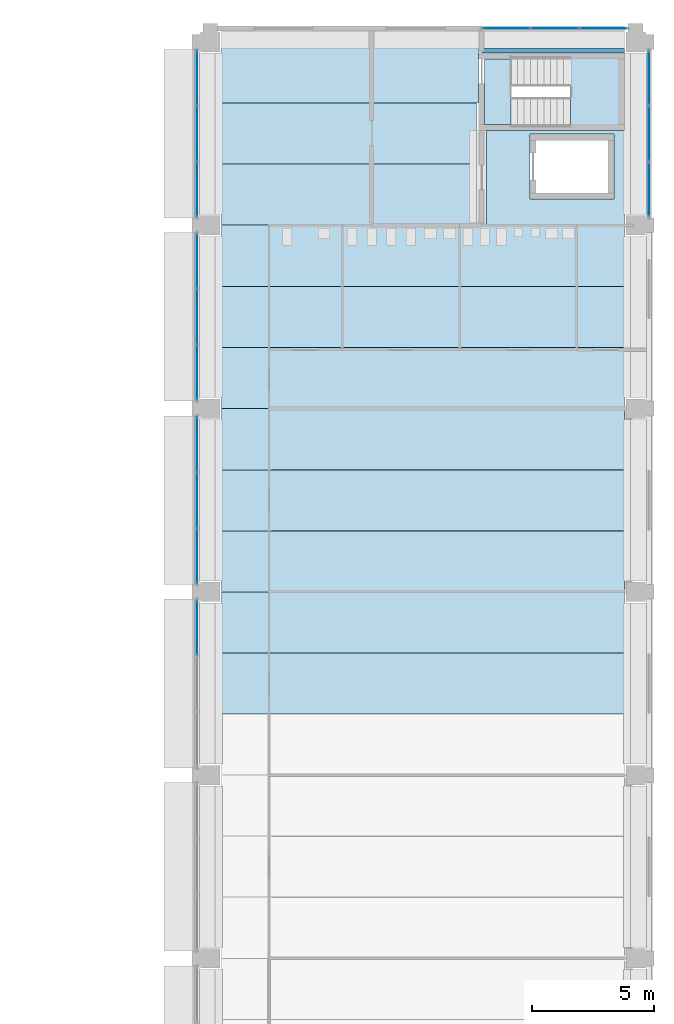
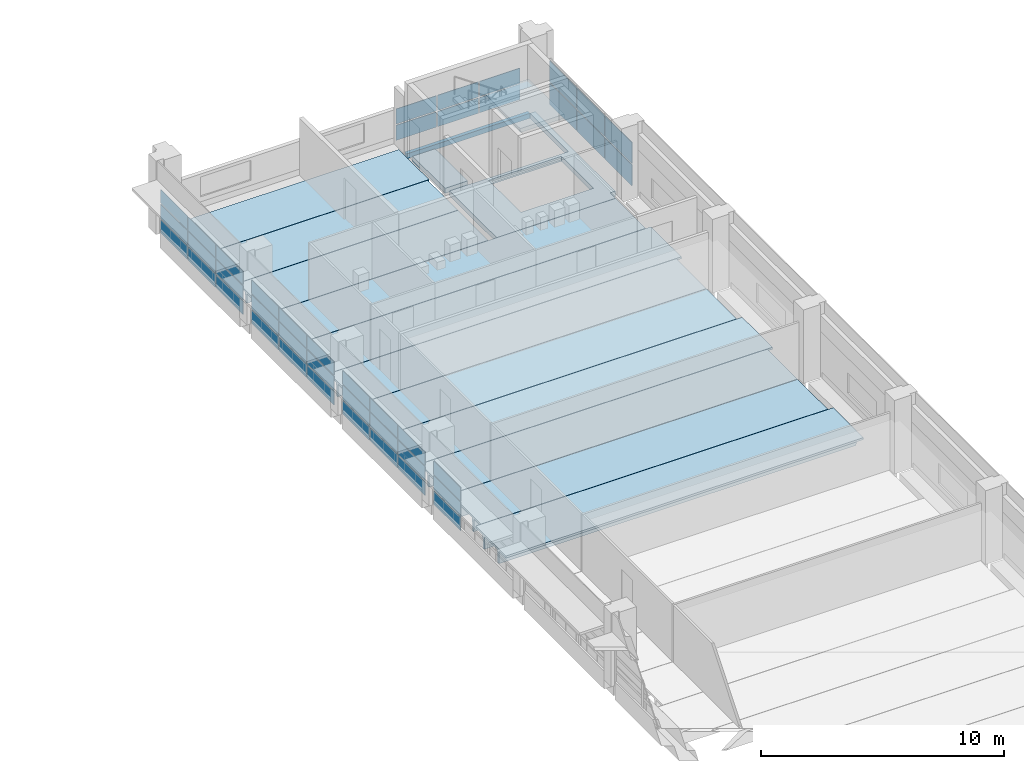
# One storey, part 32 of 61: 42 plates, 15 slabs, 7 elements without a shape of their own.
"""IFC4 building model written with IfcOpenShell, lengths in metres."""

from ifc_helpers import new_model, si_unit, direction, frame, origin, origin_2d, place, context, subcontext, project, spatial, polyline, rectangle, outline, extrude, material, layer, layer_set, material_profile, profile_set, type_object, element, aggregate, save


model = new_model("IFC4")

# Units and contexts
model_context = context("Model", 3, precision=1e-05, world=origin(), true_north=direction((0.0, 1.0)))
body_context = subcontext(model_context, "Body", "Model", "MODEL_VIEW")
ifc_project = project(units=[si_unit("LENGTHUNIT", "METRE"), si_unit("AREAUNIT", "SQUARE_METRE"), si_unit("VOLUMEUNIT", "CUBIC_METRE"), si_unit("PLANEANGLEUNIT", "RADIAN"), si_unit("MASSUNIT", "GRAM", prefix="KILO")], contexts=[model_context])

# Site, building, storey
site_placement = place(None, origin())
site = spatial("IfcSite", under=ifc_project, at=site_placement, CompositionType="ELEMENT")
building_placement = place(site_placement, origin())
building = spatial("IfcBuilding", under=site, at=building_placement, Name="Cour d'Honneur Mobility Palace", CompositionType="ELEMENT")
storey_placement = place(building_placement, frame((0.0, 0.0, 11.89990234375)))
storey = spatial("IfcBuildingStorey", under=building, at=storey_placement, Name="L03", CompositionType="ELEMENT", Elevation=11.89990234375)

# Slabs
ifc_material_1 = material(Name="Concrete C50", Category="concrete")
ifc_layer_1 = layer(ifc_material_1, 0.25)
ifc_layer_set_1 = layer_set([ifc_layer_1], Name="Concrete C50")
slab_type_1 = type_object("IfcSlabType", Name="Cast-in-place Slab 250", PredefinedType="FLOOR", material=ifc_layer_set_1)
slab_1_placement = place(storey_placement, frame((0.0, 0.0, -0.25)))
element("IfcSlab", 1, at=slab_1_placement, inside=storey, type_object=slab_type_1, Name="Cast-in-place slab S1 L03 core", PredefinedType="FLOOR", context=body_context, shape_type="SweptSolid", body=[
    extrude(outline(polyline([(161.85009765625, 114.449951171875), (156.0, 114.449951171875), (156.0, 114.625), (161.85009765625, 114.625), (161.85009765625, 114.449951171875)])), origin(), (0.0, 0.0, 1.0), 0.25),
])
slab_2_placement = place(storey_placement, frame((0.0, 0.0, -0.25)))
element("IfcSlab", 2, at=slab_2_placement, inside=storey, type_object=slab_type_1, Name="Cast-in-place slab S1 L03 core", PredefinedType="FLOOR", context=body_context, shape_type="SweptSolid", body=[
    extrude(outline(polyline([(162.10009765625, 114.449951171875), (162.10009765625, 107.85009765625), (161.85009765625, 107.85009765625), (161.85009765625, 107.39990234375), (156.199951171875, 107.39990234375), (156.199951171875, 111.27490234375), (161.85009765625, 111.27490234375), (161.85009765625, 114.449951171875), (162.10009765625, 114.449951171875)]), holes=[polyline([(161.425048828125, 111.125), (157.97509765625, 111.125), (157.97509765625, 108.47509765625), (161.425048828125, 108.47509765625), (161.425048828125, 111.125)])]), origin(), (0.0, 0.0, 1.0), 0.25),
])
slab_3_placement = place(storey_placement, frame((0.0, 0.0, -0.25)))
element("IfcSlab", 3, at=slab_3_placement, inside=storey, type_object=slab_type_1, Name="Cast-in-place slab S1 L03 core", PredefinedType="FLOOR", context=body_context, shape_type="SweptSolid", body=[
    extrude(outline(polyline([(156.125, 114.199951171875), (157.199951171875, 114.199951171875), (157.199951171875, 111.52490234375), (156.125, 111.52490234375), (156.125, 114.199951171875)])), origin(), (0.0, 0.0, 1.0), 0.25),
])

# Curtain wall, plates
ifc_material_2 = material(Name="Aluminium and glass", Category="aluminium")
ifc_layer_2 = layer(ifc_material_2, 0.10009765625)
ifc_layer_set_2 = layer_set([ifc_layer_2], Name="Aluminium and glass")
curtain_wall_type = type_object("IfcCurtainWallType", Name="Curtain wall run", PredefinedType="NOTDEFINED", material=ifc_layer_set_2)
curtain_wall_1_placement = place(storey_placement, origin())
curtain_wall_1 = element("IfcCurtainWall", 4, at=curtain_wall_1_placement, inside=storey, type_object=curtain_wall_type, Name="Curtain wall CW-58", PredefinedType="NOTDEFINED")
ifc_material_3 = material(Name="Double glazing", Category="glass")
ifc_layer_3 = layer(ifc_material_3, 0.028076171875)
ifc_layer_set_3 = layer_set([ifc_layer_3], Name="Double glazing")
plate_type = type_object("IfcPlateType", Name="Curtain wall panel", PredefinedType="CURTAIN_PANEL", material=ifc_layer_set_3)
plate_1_placement = place(storey_placement, frame((144.35009765625, 113.43505859375, 0.06005859375), z_axis=(0.0, 0.0, 1.0), x_axis=(0.0, -1.0, 0.0)))
plate_1 = element("IfcPlate", 5, at=plate_1_placement, type_object=plate_type, Name="CW-58 panel 1.1", PredefinedType="CURTAIN_PANEL", context=body_context, shape_type="SweptSolid", body=[
    extrude(rectangle(XDim=2.2099609375, YDim=0.028076171875, at=origin_2d()), origin(), (0.0, 0.0, 1.0), 0.6767578125),
])
plate_2_placement = place(storey_placement, frame((144.35009765625, 113.43505859375, 0.796875), z_axis=(0.0, 0.0, 1.0), x_axis=(0.0, -1.0, 0.0)))
plate_2 = element("IfcPlate", 6, at=plate_2_placement, type_object=plate_type, Name="CW-58 panel 1.2", PredefinedType="CURTAIN_PANEL", context=body_context, shape_type="SweptSolid", body=[
    extrude(rectangle(XDim=2.2099609375, YDim=0.028076171875, at=origin_2d()), origin(), (0.0, 0.0, 1.0), 0.706787109375),
])
plate_3_placement = place(storey_placement, frame((144.35009765625, 113.43505859375, 1.5634765625), z_axis=(0.0, 0.0, 1.0), x_axis=(0.0, -1.0, 0.0)))
plate_3 = element("IfcPlate", 7, at=plate_3_placement, type_object=plate_type, Name="CW-58 panel 1.3", PredefinedType="CURTAIN_PANEL", context=body_context, shape_type="SweptSolid", body=[
    extrude(rectangle(XDim=2.2099609375, YDim=0.028076171875, at=origin_2d()), origin(), (0.0, 0.0, 1.0), 0.6767578125),
])
plate_4_placement = place(storey_placement, frame((144.35009765625, 111.14990234375, 0.06005859375), z_axis=(0.0, 0.0, 1.0), x_axis=(0.0, -1.0, 0.0)))
plate_4 = element("IfcPlate", 8, at=plate_4_placement, type_object=plate_type, Name="CW-58 panel 2.1", PredefinedType="CURTAIN_PANEL", context=body_context, shape_type="SweptSolid", body=[
    extrude(rectangle(XDim=2.239990234375, YDim=0.028076171875, at=origin_2d()), origin(), (0.0, 0.0, 1.0), 0.6767578125),
])
plate_5_placement = place(storey_placement, frame((144.35009765625, 111.14990234375, 0.796875), z_axis=(0.0, 0.0, 1.0), x_axis=(0.0, -1.0, 0.0)))
plate_5 = element("IfcPlate", 9, at=plate_5_placement, type_object=plate_type, Name="CW-58 panel 2.2", PredefinedType="CURTAIN_PANEL", context=body_context, shape_type="SweptSolid", body=[
    extrude(rectangle(XDim=2.239990234375, YDim=0.028076171875, at=origin_2d()), origin(), (0.0, 0.0, 1.0), 0.706787109375),
])
plate_6_placement = place(storey_placement, frame((144.35009765625, 111.14990234375, 1.5634765625), z_axis=(0.0, 0.0, 1.0), x_axis=(0.0, -1.0, 0.0)))
plate_6 = element("IfcPlate", 10, at=plate_6_placement, type_object=plate_type, Name="CW-58 panel 2.3", PredefinedType="CURTAIN_PANEL", context=body_context, shape_type="SweptSolid", body=[
    extrude(rectangle(XDim=2.239990234375, YDim=0.028076171875, at=origin_2d()), origin(), (0.0, 0.0, 1.0), 0.6767578125),
])
plate_7_placement = place(storey_placement, frame((144.35009765625, 108.864990234375, 0.06005859375), z_axis=(0.0, 0.0, 1.0), x_axis=(0.0, -1.0, 0.0)))
plate_7 = element("IfcPlate", 11, at=plate_7_placement, type_object=plate_type, Name="CW-58 panel 3.1", PredefinedType="CURTAIN_PANEL", context=body_context, shape_type="SweptSolid", body=[
    extrude(rectangle(XDim=2.2099609375, YDim=0.028076171875, at=origin_2d()), origin(), (0.0, 0.0, 1.0), 0.6767578125),
])
plate_8_placement = place(storey_placement, frame((144.35009765625, 108.864990234375, 0.796875), z_axis=(0.0, 0.0, 1.0), x_axis=(0.0, -1.0, 0.0)))
plate_8 = element("IfcPlate", 12, at=plate_8_placement, type_object=plate_type, Name="CW-58 panel 3.2", PredefinedType="CURTAIN_PANEL", context=body_context, shape_type="SweptSolid", body=[
    extrude(rectangle(XDim=2.2099609375, YDim=0.028076171875, at=origin_2d()), origin(), (0.0, 0.0, 1.0), 0.706787109375),
])
plate_9_placement = place(storey_placement, frame((144.35009765625, 108.864990234375, 1.5634765625), z_axis=(0.0, 0.0, 1.0), x_axis=(0.0, -1.0, 0.0)))
plate_9 = element("IfcPlate", 13, at=plate_9_placement, type_object=plate_type, Name="CW-58 panel 3.3", PredefinedType="CURTAIN_PANEL", context=body_context, shape_type="SweptSolid", body=[
    extrude(rectangle(XDim=2.2099609375, YDim=0.028076171875, at=origin_2d()), origin(), (0.0, 0.0, 1.0), 0.6767578125),
])
aggregate(curtain_wall_1, [plate_1, plate_2, plate_3, plate_4, plate_5, plate_6, plate_7, plate_8, plate_9])

curtain_wall_2_placement = place(storey_placement, origin())
curtain_wall_2 = element("IfcCurtainWall", 14, at=curtain_wall_2_placement, inside=storey, type_object=curtain_wall_type, Name="Curtain wall CW-59", PredefinedType="NOTDEFINED")
plate_10_placement = place(storey_placement, frame((144.35009765625, 105.93505859375, 0.06005859375), z_axis=(0.0, 0.0, 1.0), x_axis=(0.0, -1.0, 0.0)))
plate_10 = element("IfcPlate", 15, at=plate_10_placement, type_object=plate_type, Name="CW-59 panel 1.1", PredefinedType="CURTAIN_PANEL", context=body_context, shape_type="SweptSolid", body=[
    extrude(rectangle(XDim=2.2099609375, YDim=0.028076171875, at=origin_2d()), origin(), (0.0, 0.0, 1.0), 0.6767578125),
])
plate_11_placement = place(storey_placement, frame((144.35009765625, 105.93505859375, 0.796875), z_axis=(0.0, 0.0, 1.0), x_axis=(0.0, -1.0, 0.0)))
plate_11 = element("IfcPlate", 16, at=plate_11_placement, type_object=plate_type, Name="CW-59 panel 1.2", PredefinedType="CURTAIN_PANEL", context=body_context, shape_type="SweptSolid", body=[
    extrude(rectangle(XDim=2.2099609375, YDim=0.028076171875, at=origin_2d()), origin(), (0.0, 0.0, 1.0), 0.706787109375),
])
plate_12_placement = place(storey_placement, frame((144.35009765625, 105.93505859375, 1.5634765625), z_axis=(0.0, 0.0, 1.0), x_axis=(0.0, -1.0, 0.0)))
plate_12 = element("IfcPlate", 17, at=plate_12_placement, type_object=plate_type, Name="CW-59 panel 1.3", PredefinedType="CURTAIN_PANEL", context=body_context, shape_type="SweptSolid", body=[
    extrude(rectangle(XDim=2.2099609375, YDim=0.028076171875, at=origin_2d()), origin(), (0.0, 0.0, 1.0), 0.6767578125),
])
plate_13_placement = place(storey_placement, frame((144.35009765625, 103.64990234375, 0.06005859375), z_axis=(0.0, 0.0, 1.0), x_axis=(0.0, -1.0, 0.0)))
plate_13 = element("IfcPlate", 18, at=plate_13_placement, type_object=plate_type, Name="CW-59 panel 2.1", PredefinedType="CURTAIN_PANEL", context=body_context, shape_type="SweptSolid", body=[
    extrude(rectangle(XDim=2.239990234375, YDim=0.028076171875, at=origin_2d()), origin(), (0.0, 0.0, 1.0), 0.6767578125),
])
plate_14_placement = place(storey_placement, frame((144.35009765625, 103.64990234375, 0.796875), z_axis=(0.0, 0.0, 1.0), x_axis=(0.0, -1.0, 0.0)))
plate_14 = element("IfcPlate", 19, at=plate_14_placement, type_object=plate_type, Name="CW-59 panel 2.2", PredefinedType="CURTAIN_PANEL", context=body_context, shape_type="SweptSolid", body=[
    extrude(rectangle(XDim=2.239990234375, YDim=0.028076171875, at=origin_2d()), origin(), (0.0, 0.0, 1.0), 0.706787109375),
])
plate_15_placement = place(storey_placement, frame((144.35009765625, 103.64990234375, 1.5634765625), z_axis=(0.0, 0.0, 1.0), x_axis=(0.0, -1.0, 0.0)))
plate_15 = element("IfcPlate", 20, at=plate_15_placement, type_object=plate_type, Name="CW-59 panel 2.3", PredefinedType="CURTAIN_PANEL", context=body_context, shape_type="SweptSolid", body=[
    extrude(rectangle(XDim=2.239990234375, YDim=0.028076171875, at=origin_2d()), origin(), (0.0, 0.0, 1.0), 0.6767578125),
])
plate_16_placement = place(storey_placement, frame((144.35009765625, 101.364990234375, 0.06005859375), z_axis=(0.0, 0.0, 1.0), x_axis=(0.0, -1.0, 0.0)))
plate_16 = element("IfcPlate", 21, at=plate_16_placement, type_object=plate_type, Name="CW-59 panel 3.1", PredefinedType="CURTAIN_PANEL", context=body_context, shape_type="SweptSolid", body=[
    extrude(rectangle(XDim=2.2099609375, YDim=0.028076171875, at=origin_2d()), origin(), (0.0, 0.0, 1.0), 0.6767578125),
])
plate_17_placement = place(storey_placement, frame((144.35009765625, 101.364990234375, 0.796875), z_axis=(0.0, 0.0, 1.0), x_axis=(0.0, -1.0, 0.0)))
plate_17 = element("IfcPlate", 22, at=plate_17_placement, type_object=plate_type, Name="CW-59 panel 3.2", PredefinedType="CURTAIN_PANEL", context=body_context, shape_type="SweptSolid", body=[
    extrude(rectangle(XDim=2.2099609375, YDim=0.028076171875, at=origin_2d()), origin(), (0.0, 0.0, 1.0), 0.706787109375),
])
plate_18_placement = place(storey_placement, frame((144.35009765625, 101.364990234375, 1.5634765625), z_axis=(0.0, 0.0, 1.0), x_axis=(0.0, -1.0, 0.0)))
plate_18 = element("IfcPlate", 23, at=plate_18_placement, type_object=plate_type, Name="CW-59 panel 3.3", PredefinedType="CURTAIN_PANEL", context=body_context, shape_type="SweptSolid", body=[
    extrude(rectangle(XDim=2.2099609375, YDim=0.028076171875, at=origin_2d()), origin(), (0.0, 0.0, 1.0), 0.6767578125),
])
aggregate(curtain_wall_2, [plate_10, plate_11, plate_12, plate_13, plate_14, plate_15, plate_16, plate_17, plate_18])

curtain_wall_3_placement = place(storey_placement, origin())
curtain_wall_3 = element("IfcCurtainWall", 24, at=curtain_wall_3_placement, inside=storey, type_object=curtain_wall_type, Name="Curtain wall CW-60", PredefinedType="NOTDEFINED")
plate_19_placement = place(storey_placement, frame((144.35009765625, 98.43505859375, 0.06005859375), z_axis=(0.0, 0.0, 1.0), x_axis=(0.0, -1.0, 0.0)))
plate_19 = element("IfcPlate", 25, at=plate_19_placement, type_object=plate_type, Name="CW-60 panel 1.1", PredefinedType="CURTAIN_PANEL", context=body_context, shape_type="SweptSolid", body=[
    extrude(rectangle(XDim=2.2099609375, YDim=0.028076171875, at=origin_2d()), origin(), (0.0, 0.0, 1.0), 0.6767578125),
])
plate_20_placement = place(storey_placement, frame((144.35009765625, 98.43505859375, 0.796875), z_axis=(0.0, 0.0, 1.0), x_axis=(0.0, -1.0, 0.0)))
plate_20 = element("IfcPlate", 26, at=plate_20_placement, type_object=plate_type, Name="CW-60 panel 1.2", PredefinedType="CURTAIN_PANEL", context=body_context, shape_type="SweptSolid", body=[
    extrude(rectangle(XDim=2.2099609375, YDim=0.028076171875, at=origin_2d()), origin(), (0.0, 0.0, 1.0), 0.706787109375),
])
plate_21_placement = place(storey_placement, frame((144.35009765625, 98.43505859375, 1.5634765625), z_axis=(0.0, 0.0, 1.0), x_axis=(0.0, -1.0, 0.0)))
plate_21 = element("IfcPlate", 27, at=plate_21_placement, type_object=plate_type, Name="CW-60 panel 1.3", PredefinedType="CURTAIN_PANEL", context=body_context, shape_type="SweptSolid", body=[
    extrude(rectangle(XDim=2.2099609375, YDim=0.028076171875, at=origin_2d()), origin(), (0.0, 0.0, 1.0), 0.6767578125),
])
plate_22_placement = place(storey_placement, frame((144.35009765625, 96.14990234375, 0.06005859375), z_axis=(0.0, 0.0, 1.0), x_axis=(0.0, -1.0, 0.0)))
plate_22 = element("IfcPlate", 28, at=plate_22_placement, type_object=plate_type, Name="CW-60 panel 2.1", PredefinedType="CURTAIN_PANEL", context=body_context, shape_type="SweptSolid", body=[
    extrude(rectangle(XDim=2.239990234375, YDim=0.028076171875, at=origin_2d()), origin(), (0.0, 0.0, 1.0), 0.6767578125),
])
plate_23_placement = place(storey_placement, frame((144.35009765625, 96.14990234375, 0.796875), z_axis=(0.0, 0.0, 1.0), x_axis=(0.0, -1.0, 0.0)))
plate_23 = element("IfcPlate", 29, at=plate_23_placement, type_object=plate_type, Name="CW-60 panel 2.2", PredefinedType="CURTAIN_PANEL", context=body_context, shape_type="SweptSolid", body=[
    extrude(rectangle(XDim=2.239990234375, YDim=0.028076171875, at=origin_2d()), origin(), (0.0, 0.0, 1.0), 0.706787109375),
])
plate_24_placement = place(storey_placement, frame((144.35009765625, 96.14990234375, 1.5634765625), z_axis=(0.0, 0.0, 1.0), x_axis=(0.0, -1.0, 0.0)))
plate_24 = element("IfcPlate", 30, at=plate_24_placement, type_object=plate_type, Name="CW-60 panel 2.3", PredefinedType="CURTAIN_PANEL", context=body_context, shape_type="SweptSolid", body=[
    extrude(rectangle(XDim=2.239990234375, YDim=0.028076171875, at=origin_2d()), origin(), (0.0, 0.0, 1.0), 0.6767578125),
])
plate_25_placement = place(storey_placement, frame((144.35009765625, 93.864990234375, 0.06005859375), z_axis=(0.0, 0.0, 1.0), x_axis=(0.0, -1.0, 0.0)))
plate_25 = element("IfcPlate", 31, at=plate_25_placement, type_object=plate_type, Name="CW-60 panel 3.1", PredefinedType="CURTAIN_PANEL", context=body_context, shape_type="SweptSolid", body=[
    extrude(rectangle(XDim=2.2099609375, YDim=0.028076171875, at=origin_2d()), origin(), (0.0, 0.0, 1.0), 0.6767578125),
])
plate_26_placement = place(storey_placement, frame((144.35009765625, 93.864990234375, 0.796875), z_axis=(0.0, 0.0, 1.0), x_axis=(0.0, -1.0, 0.0)))
plate_26 = element("IfcPlate", 32, at=plate_26_placement, type_object=plate_type, Name="CW-60 panel 3.2", PredefinedType="CURTAIN_PANEL", context=body_context, shape_type="SweptSolid", body=[
    extrude(rectangle(XDim=2.2099609375, YDim=0.028076171875, at=origin_2d()), origin(), (0.0, 0.0, 1.0), 0.706787109375),
])
plate_27_placement = place(storey_placement, frame((144.35009765625, 93.864990234375, 1.5634765625), z_axis=(0.0, 0.0, 1.0), x_axis=(0.0, -1.0, 0.0)))
plate_27 = element("IfcPlate", 33, at=plate_27_placement, type_object=plate_type, Name="CW-60 panel 3.3", PredefinedType="CURTAIN_PANEL", context=body_context, shape_type="SweptSolid", body=[
    extrude(rectangle(XDim=2.2099609375, YDim=0.028076171875, at=origin_2d()), origin(), (0.0, 0.0, 1.0), 0.6767578125),
])
aggregate(curtain_wall_3, [plate_19, plate_20, plate_21, plate_22, plate_23, plate_24, plate_25, plate_26, plate_27])

curtain_wall_4_placement = place(storey_placement, origin())
curtain_wall_4 = element("IfcCurtainWall", 34, at=curtain_wall_4_placement, inside=storey, type_object=curtain_wall_type, Name="Curtain wall CW-61", PredefinedType="NOTDEFINED")
plate_28_placement = place(storey_placement, frame((144.35009765625, 90.93505859375, 0.06005859375), z_axis=(0.0, 0.0, 1.0), x_axis=(0.0, -1.0, 0.0)))
plate_28 = element("IfcPlate", 35, at=plate_28_placement, type_object=plate_type, Name="CW-61 panel 1.1", PredefinedType="CURTAIN_PANEL", context=body_context, shape_type="SweptSolid", body=[
    extrude(rectangle(XDim=2.2099609375, YDim=0.028076171875, at=origin_2d()), origin(), (0.0, 0.0, 1.0), 0.6767578125),
])
plate_29_placement = place(storey_placement, frame((144.35009765625, 90.93505859375, 0.796875), z_axis=(0.0, 0.0, 1.0), x_axis=(0.0, -1.0, 0.0)))
plate_29 = element("IfcPlate", 36, at=plate_29_placement, type_object=plate_type, Name="CW-61 panel 1.2", PredefinedType="CURTAIN_PANEL", context=body_context, shape_type="SweptSolid", body=[
    extrude(rectangle(XDim=2.2099609375, YDim=0.028076171875, at=origin_2d()), origin(), (0.0, 0.0, 1.0), 0.706787109375),
])
plate_30_placement = place(storey_placement, frame((144.35009765625, 90.93505859375, 1.5634765625), z_axis=(0.0, 0.0, 1.0), x_axis=(0.0, -1.0, 0.0)))
plate_30 = element("IfcPlate", 37, at=plate_30_placement, type_object=plate_type, Name="CW-61 panel 1.3", PredefinedType="CURTAIN_PANEL", context=body_context, shape_type="SweptSolid", body=[
    extrude(rectangle(XDim=2.2099609375, YDim=0.028076171875, at=origin_2d()), origin(), (0.0, 0.0, 1.0), 0.6767578125),
])
aggregate(curtain_wall_4, [plate_28, plate_29, plate_30])

curtain_wall_5_placement = place(storey_placement, origin())
curtain_wall_5 = element("IfcCurtainWall", 38, at=curtain_wall_5_placement, inside=storey, type_object=curtain_wall_type, Name="Curtain wall CW-117", PredefinedType="NOTDEFINED")
plate_31_placement = place(storey_placement, frame((162.85009765625, 108.864990234375, 0.06005859375), z_axis=(0.0, 0.0, 1.0), x_axis=(0.0, 1.0, 0.0)))
plate_31 = element("IfcPlate", 39, at=plate_31_placement, type_object=plate_type, Name="CW-117 panel 1.1", PredefinedType="CURTAIN_PANEL", context=body_context, shape_type="SweptSolid", body=[
    extrude(rectangle(XDim=2.2099609375, YDim=0.028076171875, at=origin_2d()), origin(), (0.0, 0.0, 1.0), 1.06005859375),
])
plate_32_placement = place(storey_placement, frame((162.85009765625, 108.864990234375, 1.18017578125), z_axis=(0.0, 0.0, 1.0), x_axis=(0.0, 1.0, 0.0)))
plate_32 = element("IfcPlate", 40, at=plate_32_placement, type_object=plate_type, Name="CW-117 panel 1.2", PredefinedType="CURTAIN_PANEL", context=body_context, shape_type="SweptSolid", body=[
    extrude(rectangle(XDim=2.2099609375, YDim=0.028076171875, at=origin_2d()), origin(), (0.0, 0.0, 1.0), 1.06005859375),
])
plate_33_placement = place(storey_placement, frame((162.85009765625, 111.14990234375, 0.06005859375), z_axis=(0.0, 0.0, 1.0), x_axis=(0.0, 1.0, 0.0)))
plate_33 = element("IfcPlate", 41, at=plate_33_placement, type_object=plate_type, Name="CW-117 panel 2.1", PredefinedType="CURTAIN_PANEL", context=body_context, shape_type="SweptSolid", body=[
    extrude(rectangle(XDim=2.239990234375, YDim=0.028076171875, at=origin_2d()), origin(), (0.0, 0.0, 1.0), 1.06005859375),
])
plate_34_placement = place(storey_placement, frame((162.85009765625, 111.14990234375, 1.18017578125), z_axis=(0.0, 0.0, 1.0), x_axis=(0.0, 1.0, 0.0)))
plate_34 = element("IfcPlate", 42, at=plate_34_placement, type_object=plate_type, Name="CW-117 panel 2.2", PredefinedType="CURTAIN_PANEL", context=body_context, shape_type="SweptSolid", body=[
    extrude(rectangle(XDim=2.239990234375, YDim=0.028076171875, at=origin_2d()), origin(), (0.0, 0.0, 1.0), 1.06005859375),
])
plate_35_placement = place(storey_placement, frame((162.85009765625, 113.43505859375, 0.06005859375), z_axis=(0.0, 0.0, 1.0), x_axis=(0.0, 1.0, 0.0)))
plate_35 = element("IfcPlate", 43, at=plate_35_placement, type_object=plate_type, Name="CW-117 panel 3.1", PredefinedType="CURTAIN_PANEL", context=body_context, shape_type="SweptSolid", body=[
    extrude(rectangle(XDim=2.2099609375, YDim=0.028076171875, at=origin_2d()), origin(), (0.0, 0.0, 1.0), 1.06005859375),
])
plate_36_placement = place(storey_placement, frame((162.85009765625, 113.43505859375, 1.18017578125), z_axis=(0.0, 0.0, 1.0), x_axis=(0.0, 1.0, 0.0)))
plate_36 = element("IfcPlate", 44, at=plate_36_placement, type_object=plate_type, Name="CW-117 panel 3.2", PredefinedType="CURTAIN_PANEL", context=body_context, shape_type="SweptSolid", body=[
    extrude(rectangle(XDim=2.2099609375, YDim=0.028076171875, at=origin_2d()), origin(), (0.0, 0.0, 1.0), 1.06005859375),
])
aggregate(curtain_wall_5, [plate_31, plate_32, plate_33, plate_34, plate_35, plate_36])

curtain_wall_6_placement = place(storey_placement, origin())
curtain_wall_6 = element("IfcCurtainWall", 45, at=curtain_wall_6_placement, inside=storey, type_object=curtain_wall_type, Name="Curtain wall CW-118", PredefinedType="NOTDEFINED")
plate_37_placement = place(storey_placement, frame((160.985107421875, 115.449951171875, 0.06005859375), z_axis=(0.0, 0.0, 1.0), x_axis=(-1.0, 0.0, 0.0)))
plate_37 = element("IfcPlate", 46, at=plate_37_placement, type_object=plate_type, Name="CW-118 panel 1.1", PredefinedType="CURTAIN_PANEL", context=body_context, shape_type="SweptSolid", body=[
    extrude(rectangle(XDim=1.909912109375, YDim=0.028076171875, at=origin_2d()), origin(), (0.0, 0.0, 1.0), 0.760009765625),
])
plate_38_placement = place(storey_placement, frame((160.985107421875, 115.449951171875, 0.8798828125), z_axis=(0.0, 0.0, 1.0), x_axis=(-1.0, 0.0, 0.0)))
plate_38 = element("IfcPlate", 47, at=plate_38_placement, type_object=plate_type, Name="CW-118 panel 1.2", PredefinedType="CURTAIN_PANEL", context=body_context, shape_type="SweptSolid", body=[
    extrude(rectangle(XDim=1.909912109375, YDim=0.028076171875, at=origin_2d()), origin(), (0.0, 0.0, 1.0), 0.760009765625),
])
plate_39_placement = place(storey_placement, frame((159.0, 115.449951171875, 0.06005859375), z_axis=(0.0, 0.0, 1.0), x_axis=(-1.0, 0.0, 0.0)))
plate_39 = element("IfcPlate", 48, at=plate_39_placement, type_object=plate_type, Name="CW-118 panel 2.1", PredefinedType="CURTAIN_PANEL", context=body_context, shape_type="SweptSolid", body=[
    extrude(rectangle(XDim=1.93994140625, YDim=0.028076171875, at=origin_2d()), origin(), (0.0, 0.0, 1.0), 0.760009765625),
])
plate_40_placement = place(storey_placement, frame((159.0, 115.449951171875, 0.8798828125), z_axis=(0.0, 0.0, 1.0), x_axis=(-1.0, 0.0, 0.0)))
plate_40 = element("IfcPlate", 49, at=plate_40_placement, type_object=plate_type, Name="CW-118 panel 2.2", PredefinedType="CURTAIN_PANEL", context=body_context, shape_type="SweptSolid", body=[
    extrude(rectangle(XDim=1.93994140625, YDim=0.028076171875, at=origin_2d()), origin(), (0.0, 0.0, 1.0), 0.760009765625),
])
plate_41_placement = place(storey_placement, frame((157.014892578125, 115.449951171875, 0.06005859375), z_axis=(0.0, 0.0, 1.0), x_axis=(-1.0, 0.0, 0.0)))
plate_41 = element("IfcPlate", 50, at=plate_41_placement, type_object=plate_type, Name="CW-118 panel 3.1", PredefinedType="CURTAIN_PANEL", context=body_context, shape_type="SweptSolid", body=[
    extrude(rectangle(XDim=1.909912109375, YDim=0.028076171875, at=origin_2d()), origin(), (0.0, 0.0, 1.0), 0.760009765625),
])
plate_42_placement = place(storey_placement, frame((157.014892578125, 115.449951171875, 0.8798828125), z_axis=(0.0, 0.0, 1.0), x_axis=(-1.0, 0.0, 0.0)))
plate_42 = element("IfcPlate", 51, at=plate_42_placement, type_object=plate_type, Name="CW-118 panel 3.2", PredefinedType="CURTAIN_PANEL", context=body_context, shape_type="SweptSolid", body=[
    extrude(rectangle(XDim=1.909912109375, YDim=0.028076171875, at=origin_2d()), origin(), (0.0, 0.0, 1.0), 0.760009765625),
])
aggregate(curtain_wall_6, [plate_37, plate_38, plate_39, plate_40, plate_41, plate_42])

# Slabs
ifc_material_4 = material(Name="Concrete C45", Category="concrete")
ifc_material_profile_1 = material_profile(ifc_material_4, outline(polyline([(-1.2451171875, 0.0), (1.2451171875, 0.0), (1.2451171875, -0.10009765625), (0.679931640625, -0.10009765625), (0.64990234375, -0.60009765625), (0.550048828125, -0.60009765625), (0.52001953125, -0.10009765625), (-0.52001953125, -0.10009765625), (-0.550048828125, -0.60009765625), (-0.64990234375, -0.60009765625), (-0.679931640625, -0.10009765625), (-1.2451171875, -0.10009765625), (-1.2451171875, 0.0)])), Name="DT 2490x600")
ifc_profile_set_1 = profile_set([ifc_material_profile_1], Name="Concrete C45")
slab_type_2 = type_object("IfcSlabType", Name="DT 2490x600", PredefinedType="FLOOR", material=ifc_profile_set_1)
slab_4_placement = place(storey_placement, frame((145.35009765625, 108.64990234375, 0.0), z_axis=(1.0, 0.0, 0.0), x_axis=(0.0, 1.0, 0.0)))
element("IfcSlab", 52, at=slab_4_placement, inside=storey, type_object=slab_type_2, Name="Double tee DT-NE19 L03", PredefinedType="FLOOR", context=body_context, shape_type="SweptSolid", body=[
    extrude(outline(polyline([(-1.2451171875, 0.0), (1.2451171875, 0.0), (1.2451171875, -0.10009765625), (0.679931640625, -0.10009765625), (0.64990234375, -0.60009765625), (0.550048828125, -0.60009765625), (0.52001953125, -0.10009765625), (-0.52001953125, -0.10009765625), (-0.550048828125, -0.60009765625), (-0.64990234375, -0.60009765625), (-0.679931640625, -0.10009765625), (-1.2451171875, -0.10009765625), (-1.2451171875, 0.0)])), origin(), (0.0, 0.0, 1.0), 10.449951171875),
])
slab_5_placement = place(storey_placement, frame((145.10009765625, 111.14990234375, 0.0), z_axis=(1.0, 0.0, 0.0), x_axis=(0.0, 1.0, 0.0)))
element("IfcSlab", 53, at=slab_5_placement, inside=storey, type_object=slab_type_2, Name="Double tee DT-NE20 L03", PredefinedType="FLOOR", context=body_context, shape_type="SweptSolid", body=[
    extrude(outline(polyline([(-1.2451171875, 0.0), (1.2451171875, 0.0), (1.2451171875, -0.10009765625), (0.679931640625, -0.10009765625), (0.64990234375, -0.60009765625), (0.550048828125, -0.60009765625), (0.52001953125, -0.10009765625), (-0.52001953125, -0.10009765625), (-0.550048828125, -0.60009765625), (-0.64990234375, -0.60009765625), (-0.679931640625, -0.10009765625), (-1.2451171875, -0.10009765625), (-1.2451171875, 0.0)])), origin(), (0.0, 0.0, 1.0), 10.699951171875),
])
slab_6_placement = place(storey_placement, frame((145.35009765625, 113.64990234375, 0.0), z_axis=(1.0, 0.0, 0.0), x_axis=(0.0, 1.0, 0.0)))
element("IfcSlab", 54, at=slab_6_placement, inside=storey, type_object=slab_type_2, Name="Double tee DT-NE21 L03", PredefinedType="FLOOR", context=body_context, shape_type="SweptSolid", body=[
    extrude(outline(polyline([(-1.2451171875, 0.0), (1.2451171875, 0.0), (1.2451171875, -0.10009765625), (0.679931640625, -0.10009765625), (0.64990234375, -0.60009765625), (0.550048828125, -0.60009765625), (0.52001953125, -0.10009765625), (-0.52001953125, -0.10009765625), (-0.550048828125, -0.60009765625), (-0.64990234375, -0.60009765625), (-0.679931640625, -0.10009765625), (-1.2451171875, -0.10009765625), (-1.2451171875, 0.0)])), origin(), (0.0, 0.0, 1.0), 10.52490234375),
])
ifc_material_5 = material(Name="Concrete C45", Category="concrete")
ifc_material_profile_2 = material_profile(ifc_material_5, outline(polyline([(-1.2451171875, 0.0), (1.2451171875, 0.0), (1.2451171875, -0.10009765625), (0.679931640625, -0.10009765625), (0.64990234375, -0.75), (0.550048828125, -0.75), (0.52001953125, -0.10009765625), (-0.52001953125, -0.10009765625), (-0.550048828125, -0.75), (-0.64990234375, -0.75), (-0.679931640625, -0.10009765625), (-1.2451171875, -0.10009765625), (-1.2451171875, 0.0)])), Name="DT 2490x750")
ifc_profile_set_2 = profile_set([ifc_material_profile_2], Name="Concrete C45")
slab_type_3 = type_object("IfcSlabType", Name="DT 2490x750", PredefinedType="FLOOR", material=ifc_profile_set_2)
slab_7_placement = place(storey_placement, frame((145.10009765625, 88.64990234375, 0.0), z_axis=(1.0, 0.0, 0.0), x_axis=(0.0, 1.0, 0.0)))
element("IfcSlab", 55, at=slab_7_placement, inside=storey, type_object=slab_type_3, Name="Double tee DT-NE11 L03", PredefinedType="FLOOR", context=body_context, shape_type="SweptSolid", body=[
    extrude(outline(polyline([(-1.2451171875, 0.0), (1.2451171875, 0.0), (1.2451171875, -0.10009765625), (0.679931640625, -0.10009765625), (0.64990234375, -0.75), (0.550048828125, -0.75), (0.52001953125, -0.10009765625), (-0.52001953125, -0.10009765625), (-0.550048828125, -0.75), (-0.64990234375, -0.75), (-0.679931640625, -0.10009765625), (-1.2451171875, -0.10009765625), (-1.2451171875, 0.0)])), origin(), (0.0, 0.0, 1.0), 17.0),
])
for number, where, z_axis, x_axis, name in (
    (56, (145.35009765625, 91.14990234375, 0.0), (1.0, 0.0, 0.0), (0.0, 1.0, 0.0), "Double tee DT-NE12 L03"),
    (57, (145.35009765625, 93.64990234375, 0.0), (1.0, 0.0, 0.0), (0.0, 1.0, 0.0), "Double tee DT-NE13 L03"),
):
    element("IfcSlab", number, at=place(storey_placement, frame(where, z_axis=z_axis, x_axis=x_axis)), inside=storey, type_object=slab_type_3, Name=name, PredefinedType="FLOOR", context=body_context, shape_type="SweptSolid", body=[
        extrude(outline(polyline([(-1.2451171875, 0.0), (1.2451171875, 0.0), (1.2451171875, -0.10009765625), (0.679931640625, -0.10009765625), (0.64990234375, -0.75), (0.550048828125, -0.75), (0.52001953125, -0.10009765625), (-0.52001953125, -0.10009765625), (-0.550048828125, -0.75), (-0.64990234375, -0.75), (-0.679931640625, -0.10009765625), (-1.2451171875, -0.10009765625), (-1.2451171875, 0.0)])), origin(), (0.0, 0.0, 1.0), 16.5),
    ])
slab_8_placement = place(storey_placement, frame((145.10009765625, 96.14990234375, 0.0), z_axis=(1.0, 0.0, 0.0), x_axis=(0.0, 1.0, 0.0)))
element("IfcSlab", 58, at=slab_8_placement, inside=storey, type_object=slab_type_3, Name="Double tee DT-NE14 L03", PredefinedType="FLOOR", context=body_context, shape_type="SweptSolid", body=[
    extrude(outline(polyline([(-1.2451171875, 0.0), (1.2451171875, 0.0), (1.2451171875, -0.10009765625), (0.679931640625, -0.10009765625), (0.64990234375, -0.75), (0.550048828125, -0.75), (0.52001953125, -0.10009765625), (-0.52001953125, -0.10009765625), (-0.550048828125, -0.75), (-0.64990234375, -0.75), (-0.679931640625, -0.10009765625), (-1.2451171875, -0.10009765625), (-1.2451171875, 0.0)])), origin(), (0.0, 0.0, 1.0), 17.0),
])
for number, where, z_axis, x_axis, name in (
    (59, (145.35009765625, 98.64990234375, 0.0), (1.0, 0.0, 0.0), (0.0, 1.0, 0.0), "Double tee DT-NE15 L03"),
    (60, (145.35009765625, 101.14990234375, 0.0), (1.0, 0.0, 0.0), (0.0, 1.0, 0.0), "Double tee DT-NE16 L03"),
):
    element("IfcSlab", number, at=place(storey_placement, frame(where, z_axis=z_axis, x_axis=x_axis)), inside=storey, type_object=slab_type_3, Name=name, PredefinedType="FLOOR", context=body_context, shape_type="SweptSolid", body=[
        extrude(outline(polyline([(-1.2451171875, 0.0), (1.2451171875, 0.0), (1.2451171875, -0.10009765625), (0.679931640625, -0.10009765625), (0.64990234375, -0.75), (0.550048828125, -0.75), (0.52001953125, -0.10009765625), (-0.52001953125, -0.10009765625), (-0.550048828125, -0.75), (-0.64990234375, -0.75), (-0.679931640625, -0.10009765625), (-1.2451171875, -0.10009765625), (-1.2451171875, 0.0)])), origin(), (0.0, 0.0, 1.0), 16.5),
    ])
slab_9_placement = place(storey_placement, frame((145.10009765625, 103.64990234375, 0.0), z_axis=(1.0, 0.0, 0.0), x_axis=(0.0, 1.0, 0.0)))
element("IfcSlab", 61, at=slab_9_placement, inside=storey, type_object=slab_type_3, Name="Double tee DT-NE17 L03", PredefinedType="FLOOR", context=body_context, shape_type="SweptSolid", body=[
    extrude(outline(polyline([(-1.2451171875, 0.0), (1.2451171875, 0.0), (1.2451171875, -0.10009765625), (0.679931640625, -0.10009765625), (0.64990234375, -0.75), (0.550048828125, -0.75), (0.52001953125, -0.10009765625), (-0.52001953125, -0.10009765625), (-0.550048828125, -0.75), (-0.64990234375, -0.75), (-0.679931640625, -0.10009765625), (-1.2451171875, -0.10009765625), (-1.2451171875, 0.0)])), origin(), (0.0, 0.0, 1.0), 17.0),
])
slab_10_placement = place(storey_placement, frame((145.35009765625, 106.14990234375, 0.0), z_axis=(1.0, 0.0, 0.0), x_axis=(0.0, 1.0, 0.0)))
element("IfcSlab", 62, at=slab_10_placement, inside=storey, type_object=slab_type_3, Name="Double tee DT-NE18 L03", PredefinedType="FLOOR", context=body_context, shape_type="SweptSolid", body=[
    extrude(outline(polyline([(-1.2451171875, 0.0), (1.2451171875, 0.0), (1.2451171875, -0.10009765625), (0.679931640625, -0.10009765625), (0.64990234375, -0.75), (0.550048828125, -0.75), (0.52001953125, -0.10009765625), (-0.52001953125, -0.10009765625), (-0.550048828125, -0.75), (-0.64990234375, -0.75), (-0.679931640625, -0.10009765625), (-1.2451171875, -0.10009765625), (-1.2451171875, 0.0)])), origin(), (0.0, 0.0, 1.0), 16.5),
])

# Stair, slab
ifc_material_6 = material(Name="Concrete C50", Category="concrete")
stair_type = type_object("IfcStairType", Name="Stair 20 risers", PredefinedType="HALF_TURN_STAIR", material=ifc_material_6)
stair_placement = place(storey_placement, origin())
stair = element("IfcStair", 63, at=stair_placement, inside=storey, type_object=stair_type, Name="Stair ST-NE1", PredefinedType="HALF_TURN_STAIR")
ifc_material_7 = material(Name="Concrete C50", Category="concrete")
ifc_layer_4 = layer(ifc_material_7, 0.199951171875)
ifc_layer_set_4 = layer_set([ifc_layer_4], Name="Concrete C50")
slab_type_4 = type_object("IfcSlabType", Name="Stair landing", PredefinedType="LANDING", material=ifc_layer_set_4)
slab_11_placement = place(storey_placement, frame((0.0, 0.0, 1.650146484375)))
slab_11 = element("IfcSlab", 64, at=slab_11_placement, type_object=slab_type_4, Name="ST-NE1 landing 1", PredefinedType="LANDING", context=body_context, shape_type="SweptSolid", body=[
    extrude(outline(polyline([(159.6298828125, 111.39990234375), (161.72509765625, 111.39990234375), (161.72509765625, 114.324951171875), (159.6298828125, 114.324951171875), (159.6298828125, 111.39990234375)])), origin(), (0.0, 0.0, 1.0), 0.199951171875),
])
aggregate(stair, [slab_11])

save(model, "model.ifc")
